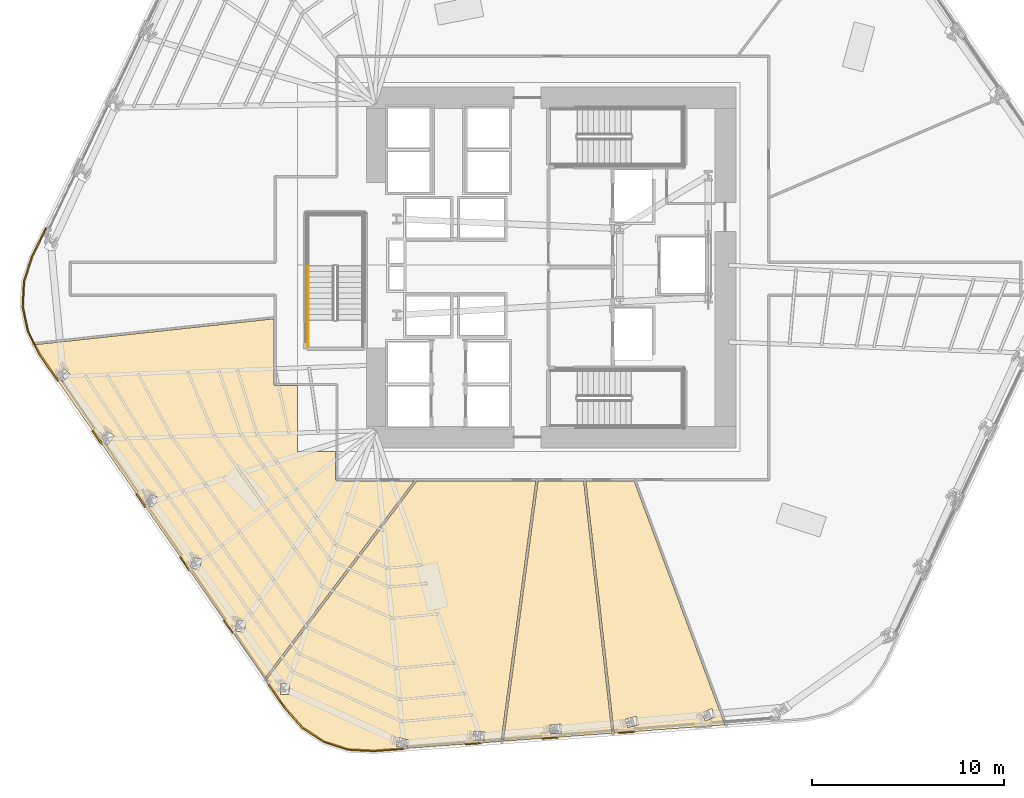
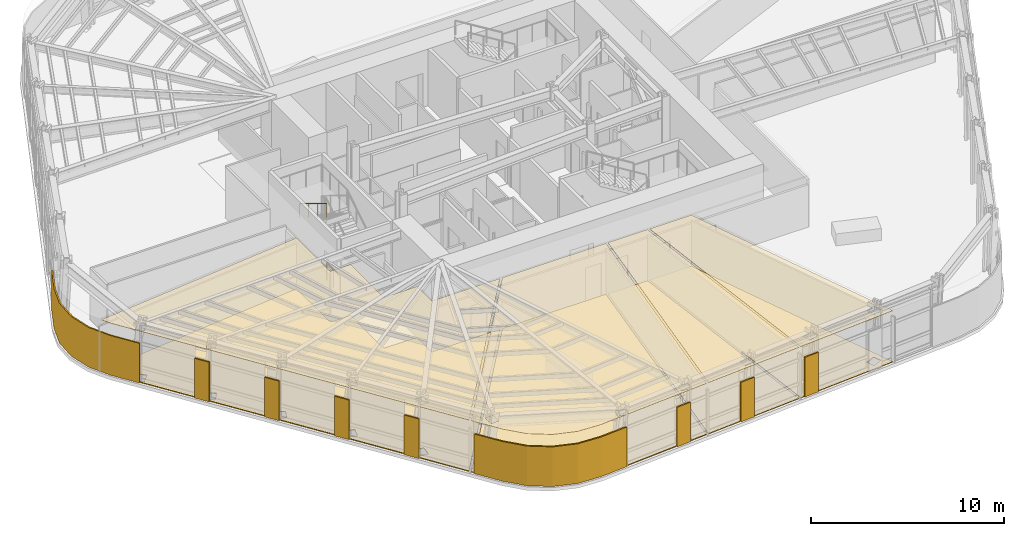
# One storey, part 10 of 15: 17 coverings, 2 railings.
"""IFC4 building model written with IfcOpenShell, lengths in metres."""

import ifcopenshell
import ifcopenshell.guid

model = None  # the IFC model being written
_history = None  # IfcOwnerHistory: only IFC2X3 demands one
_inside = {}  # id of a spatial element -> (the spatial element, [elements in it])
_under = {}  # id of a project, library or spatial element -> (it, [spatial elements below it])
_declared = {}  # id of a project -> (the project, [libraries it declares])
_typed = {}  # id of a type object -> (the type object, [elements of that type])
_made_of = {}  # id of a material, layer set ... -> (it, [elements and type objects made of it])


def new_model(schema):
    """Start an empty IFC model of exactly this schema.

    Asked for "IFC4X3", IfcOpenShell would pick the latest addendum, in which some entities
    have other attributes; the version numbers below select the first issue.
    IFC2X3 requires an IfcOwnerHistory on every rooted entity: one is made here for all.
    """
    global model, _history
    if schema == "IFC4X3":
        model = ifcopenshell.file(schema_version=(4, 3, 0, 0))
    else:
        model = ifcopenshell.file(schema=schema)
    _inside.clear()
    _under.clear()
    _declared.clear()
    _typed.clear()
    _made_of.clear()
    _history = None
    if model.schema == "IFC2X3":
        org = make("IfcOrganization", Name="unknown")
        user = make(
            "IfcPersonAndOrganization",
            ThePerson=make("IfcPerson", FamilyName="unknown"),
            TheOrganization=org,
        )
        app = make(
            "IfcApplication",
            ApplicationDeveloper=org,
            Version="unknown",
            ApplicationFullName="unknown",
            ApplicationIdentifier="unknown",
        )
        _history = make(
            "IfcOwnerHistory",
            OwningUser=user,
            OwningApplication=app,
            ChangeAction="ADDED",
            CreationDate=0,
        )
    return model


def make(cls, **values):
    """One entity of the class cls with the attributes given. An attribute that is None is left unset."""
    return model.create_entity(
        cls, **{name: value for name, value in values.items() if value is not None}
    )


def rooted(cls, **values):
    """An entity with a GlobalId (a new one), such as an element, a storey or a relation."""
    return make(cls, GlobalId=ifcopenshell.guid.new(), OwnerHistory=_history, **values)


def si_unit(unit_type, name, prefix=None):
    """IfcSIUnit, for example si_unit("LENGTHUNIT", "METRE", prefix="MILLI")."""
    return make("IfcSIUnit", UnitType=unit_type, Prefix=prefix, Name=name)


def assignment(units):
    """IfcUnitAssignment: the units of a project."""
    return None if units is None else make("IfcUnitAssignment", Units=units)


def point(xyz):
    """IfcCartesianPoint."""
    return None if xyz is None else make("IfcCartesianPoint", Coordinates=xyz)


def direction(xyz):
    """IfcDirection."""
    return None if xyz is None else make("IfcDirection", DirectionRatios=xyz)


def frame(location, z_axis=None, x_axis=None):
    """IfcAxis2Placement3D, a coordinate frame: its origin and axes. An axis left out is left unset."""
    return make(
        "IfcAxis2Placement3D",
        Location=point(location),
        Axis=direction(z_axis),
        RefDirection=direction(x_axis),
    )


def frame_2d(location, x_axis=None):
    """IfcAxis2Placement2D, a coordinate frame in the plane: its origin and x axis."""
    return make(
        "IfcAxis2Placement2D", Location=point(location), RefDirection=direction(x_axis)
    )


def origin():
    """The frame at (0, 0, 0) with its axes left unset."""
    return frame((0.0, 0.0, 0.0))


def origin_2d():
    """The frame at (0, 0) in the plane with its x axis left unset."""
    return frame_2d((0.0, 0.0))


def place(relative_to, where):
    """IfcLocalPlacement: puts the frame where relative to a parent placement (None: the world)."""
    return make(
        "IfcLocalPlacement", PlacementRelTo=relative_to, RelativePlacement=where
    )


def context(
    kind, dimensions, precision=None, world=None, true_north=None, identifier=None
):
    """IfcGeometricRepresentationContext, for example the 3D "Model" context."""
    return make(
        "IfcGeometricRepresentationContext",
        ContextIdentifier=identifier,
        ContextType=kind,
        CoordinateSpaceDimension=dimensions,
        Precision=precision,
        WorldCoordinateSystem=world,
        TrueNorth=true_north,
    )


def subcontext(parent, identifier, kind, view, scale=None):
    """IfcGeometricRepresentationSubContext, for example "Body" below "Model"."""
    return make(
        "IfcGeometricRepresentationSubContext",
        ContextIdentifier=identifier,
        ContextType=kind,
        ParentContext=parent,
        TargetScale=scale,
        TargetView=view,
    )


def project(units=None, contexts=None):
    """IfcProject with its units and contexts."""
    return rooted(
        "IfcProject",
        Name="project",
        RepresentationContexts=contexts,
        UnitsInContext=assignment(units),
    )


def spatial(cls, under=None, at=None, **own):
    """A site, building, storey or space (cls), placed at a placement, below another one or the project."""
    s = rooted(cls, ObjectPlacement=at, **own)
    if under is not None:
        _under.setdefault(under.id(), (under, []))[1].append(s)
    return s


def polyline(points):
    """IfcPolyline through the points."""
    return make("IfcPolyline", Points=[point(p) for p in points])


def profile(cls, at=None, kind="AREA", **sizes):
    """A parametric profile (cls). Its sizes go by their IFC names, for example OverallWidth=200.0."""
    return make(cls, ProfileType=kind, Position=at, **sizes)


def circle(**sizes):
    """IfcCircleProfileDef."""
    return profile("IfcCircleProfileDef", **sizes)


def outline(outer, holes=None, kind="AREA"):
    """IfcArbitraryClosedProfileDef: a profile drawn as a closed curve; with holes, ...WithVoids."""
    if holes is None:
        return make("IfcArbitraryClosedProfileDef", ProfileType=kind, OuterCurve=outer)
    return make(
        "IfcArbitraryProfileDefWithVoids",
        ProfileType=kind,
        OuterCurve=outer,
        InnerCurves=holes,
    )


def extrude(swept, where, along, depth):
    """IfcExtrudedAreaSolid: the profile swept, set in the frame where, extruded along a direction by depth."""
    return make(
        "IfcExtrudedAreaSolid",
        SweptArea=swept,
        Position=where,
        ExtrudedDirection=direction(along),
        Depth=depth,
    )


def shape(context_of_items, identifier, shape_type, items):
    """IfcShapeRepresentation: the items that make up one representation, for example the "Body"."""
    return make(
        "IfcShapeRepresentation",
        ContextOfItems=context_of_items,
        RepresentationIdentifier=identifier,
        RepresentationType=shape_type,
        Items=items,
    )


def material(Name=None, Category=None):
    """IfcMaterial."""
    return make("IfcMaterial", Name=Name, Category=Category)


def layer(
    of_material, thickness, ventilated=None, Name=None, Category=None, Priority=None
):
    """IfcMaterialLayer: one layer of a wall or slab, of a material (None: an air gap)."""
    return make(
        "IfcMaterialLayer",
        Material=of_material,
        LayerThickness=thickness,
        IsVentilated=ventilated,
        Name=Name,
        Category=Category,
        Priority=Priority,
    )


def layer_set(layers, Name=None):
    """IfcMaterialLayerSet."""
    return make("IfcMaterialLayerSet", MaterialLayers=layers, LayerSetName=Name)


def made_of(thing, what):
    """Note that an element or type object is made of a material, layer set ...; save() writes the relation."""
    if what is not None:
        _made_of.setdefault(what.id(), (what, []))[1].append(thing)
    return thing


def type_object(cls, material=None, **own):
    """A type object (cls), such as IfcWallType, which elements share."""
    return made_of(rooted(cls, **own), material)


def element(
    cls,
    number,
    at=None,
    inside=None,
    cuts=None,
    type_object=None,
    material=None,
    context=None,
    identifier="Body",
    shape_type=None,
    held_by="IfcProductDefinitionShape",
    body=None,
    shapes=None,
    **own,
):
    """One element of the class cls, such as IfcWall. Its Tag is "e" and its number.

    at: its placement. inside: the storey or other place that contains it. cuts: it is an
    opening in that element (IfcRelVoidsElement). A single representation is given by context,
    identifier, shape_type and body (its items); several are given by shapes. held_by: the class
    of the entity that holds the representations. save() writes the other relations.
    """
    e = rooted(cls, Tag="e%d" % number, ObjectPlacement=at, **own)
    if body is not None:
        shapes = [shape(context, identifier, shape_type, body)]
    if shapes is not None:
        e.Representation = make(held_by, Representations=shapes)
    if inside is not None:
        _inside.setdefault(inside.id(), (inside, []))[1].append(e)
    if cuts is not None:
        rooted(
            "IfcRelVoidsElement", RelatingBuildingElement=cuts, RelatedOpeningElement=e
        )
    if type_object is not None:
        _typed.setdefault(type_object.id(), (type_object, []))[1].append(e)
    return made_of(e, material)


def aggregate(whole, parts):
    """IfcRelAggregates: a whole, such as a stair, and the parts it consists of."""
    return rooted("IfcRelAggregates", RelatingObject=whole, RelatedObjects=parts)


def save(model, path):
    """Write the relations noted so far, then the file.

    IfcRelAggregates (storeys below a building ...), IfcRelContainedInSpatialStructure (elements
    in a storey), IfcRelDefinesByType, IfcRelAssociatesMaterial and IfcRelDeclares: one each for
    every whole, place, type object, material and project.
    """
    for whole, parts in _under.values():
        aggregate(whole, parts)
    for where, things in _inside.values():
        rooted(
            "IfcRelContainedInSpatialStructure",
            RelatedElements=things,
            RelatingStructure=where,
        )
    for kind, things in _typed.values():
        rooted("IfcRelDefinesByType", RelatedObjects=things, RelatingType=kind)
    for what, things in _made_of.values():
        rooted("IfcRelAssociatesMaterial", RelatedObjects=things, RelatingMaterial=what)
    for by, libraries in _declared.values():
        rooted("IfcRelDeclares", RelatingContext=by, RelatedDefinitions=libraries)
    model.write(path)


model = new_model("IFC4")

# Units and contexts
model_context = context("Model", 3, precision=1e-05, world=origin(), true_north=direction((0.0, 1.0)))
body_context = subcontext(model_context, "Body", "Model", "MODEL_VIEW")
ifc_project = project(units=[si_unit("LENGTHUNIT", "METRE"), si_unit("AREAUNIT", "SQUARE_METRE"), si_unit("VOLUMEUNIT", "CUBIC_METRE"), si_unit("PLANEANGLEUNIT", "RADIAN"), si_unit("MASSUNIT", "GRAM", prefix="KILO")], contexts=[model_context])

# Site, building, storey
site_placement = place(None, origin())
site = spatial("IfcSite", under=ifc_project, at=site_placement, CompositionType="ELEMENT")
building_placement = place(site_placement, origin())
building = spatial("IfcBuilding", under=site, at=building_placement, Name="Valkerne Bourse Tower", CompositionType="ELEMENT")
storey_placement = place(building_placement, frame((0.0, 0.0, 43.0)))
storey = spatial("IfcBuildingStorey", under=building, at=storey_placement, Name="L10", CompositionType="ELEMENT", Elevation=43.0)

# Coverings
ifc_material_1 = material(Name="Mineral Fiber Acoustic Ceiling Tile", Category="acoustic")
ifc_layer_1 = layer(ifc_material_1, 0.02490234375)
ifc_layer_set_1 = layer_set([ifc_layer_1], Name="Mineral Fiber Acoustic Ceiling Tile")
covering_type_1 = type_object("IfcCoveringType", Name="COV-CEIL-ACT", PredefinedType="CEILING", material=ifc_layer_set_1)
covering_1_placement = place(storey_placement, frame((0.0, 0.0, 3.22998046875)))
element("IfcCovering", 1, at=covering_1_placement, inside=storey, type_object=covering_type_1, Name="L10 Suspended Ceiling 03", PredefinedType="CEILING", context=body_context, shape_type="SweptSolid", body=[
    extrude(outline(polyline([(48.4755859375, 15.781005859375), (49.947021484375, 2.664794921875), (44.303466796875, 2.24609375), (46.109375, 15.781005859375), (48.4755859375, 15.781005859375)]), holes=[polyline([(46.752197265625, 2.632080078125), (47.32421875, 2.67919921875), (47.28662109375, 3.140380859375), (47.282958984375, 3.140380859375), (46.710693359375, 3.09326171875), (46.74853515625, 2.632080078125), (46.752197265625, 2.632080078125)])]), origin(), (0.0, 0.0, 1.0), 0.02490234375),
])
covering_2_placement = place(storey_placement, frame((0.0, 0.0, 3.22998046875)))
element("IfcCovering", 2, at=covering_2_placement, inside=storey, type_object=covering_type_1, Name="L10 Suspended Ceiling 04", PredefinedType="CEILING", context=body_context, shape_type="SweptSolid", body=[
    extrude(outline(polyline([(51.100341796875, 15.781005859375), (55.816162109375, 3.10009765625), (50.064697265625, 2.673583984375), (48.594482421875, 15.781005859375), (51.100341796875, 15.781005859375)]), holes=[polyline([(50.77685546875, 2.958740234375), (51.333251953125, 3.099853515625), (51.219970703125, 3.54833984375), (51.216552734375, 3.5478515625), (50.659912109375, 3.406494140625), (50.7734375, 2.9580078125), (50.77685546875, 2.958740234375)]), polyline([(55.33251953125, 3.522705078125), (55.148681640625, 3.947265625), (55.145263671875, 3.9462890625), (54.61865234375, 3.717529296875), (54.802490234375, 3.29296875), (54.805908203125, 3.294189453125), (55.33251953125, 3.522705078125)])]), origin(), (0.0, 0.0, 1.0), 0.02490234375),
])
covering_3_placement = place(storey_placement, frame((0.0, 0.0, 3.22998046875)))
element("IfcCovering", 3, at=covering_3_placement, inside=storey, type_object=covering_type_1, Name="L10 Suspended Ceiling 06", PredefinedType="CEILING", context=body_context, shape_type="SweptSolid", body=[
    extrude(outline(polyline([(34.982421875, 2.223876953125), (33.87548828125, 2.9423828125), (32.986083984375, 3.930419921875), (31.95947265625, 5.409912109375), (39.81201171875, 15.781005859375), (45.990234375, 15.781005859375), (44.18310546875, 2.2373046875), (39.291015625, 1.87451171875), (39.393310546875, 2.31201171875), (39.3896484375, 2.31298828125), (38.830810546875, 2.443115234375), (38.7255859375, 1.99267578125), (38.729248046875, 1.991455078125), (39.246337890625, 1.87109375), (37.56494140625, 1.746337890625), (36.2373046875, 1.81591796875), (34.982421875, 2.223876953125)]), holes=[polyline([(33.170166015625, 5.262939453125), (33.1669921875, 5.264892578125), (32.706298828125, 5.247314453125), (32.72509765625, 4.671875), (32.728515625, 4.669677734375), (33.18896484375, 4.687255859375), (33.170166015625, 5.262939453125)]), polyline([(43.34130859375, 2.7275390625), (42.76904296875, 2.772705078125), (42.732177734375, 2.3115234375), (42.735595703125, 2.31103515625), (43.307861328125, 2.265625), (43.3447265625, 2.726806640625), (43.34130859375, 2.7275390625)])]), origin(), (0.0, 0.0, 1.0), 0.02490234375),
])
covering_4_placement = place(storey_placement, frame((0.0, 0.0, 3.22998046875)))
element("IfcCovering", 4, at=covering_4_placement, inside=storey, type_object=covering_type_1, Name="L10 Suspended Ceiling 07", PredefinedType="CEILING", context=body_context, shape_type="SweptSolid", body=[
    extrude(outline(polyline([(32.381103515625, 24.21240234375), (32.381103515625, 20.79931640625), (32.39892578125, 20.75341796875), (32.4208984375, 20.7373046875), (32.44970703125, 20.73095703125), (33.60009765625, 20.73095703125), (33.60009765625, 17.300048828125), (35.5810546875, 17.300048828125), (35.5810546875, 15.849365234375), (35.59814453125, 15.80419921875), (35.62109375, 15.787353515625), (35.649658203125, 15.781005859375), (39.6640625, 15.781005859375), (31.888671875, 5.511962890625), (20.195556640625, 22.362548828125), (19.940185546875, 22.863525390625), (32.381103515625, 24.21240234375)]), holes=[polyline([(30.901611328125, 8.4912109375), (30.443603515625, 8.542724609375), (30.376220703125, 7.970703125), (30.379150390625, 7.96826171875), (30.837158203125, 7.916748046875), (30.904296875, 8.489013671875), (30.901611328125, 8.4912109375)]), polyline([(28.63525390625, 11.705810546875), (28.6328125, 11.70849609375), (28.18896484375, 11.832763671875), (28.03076171875, 11.27880859375), (28.033203125, 11.276123046875), (28.47705078125, 11.151611328125), (28.63525390625, 11.705810546875)]), polyline([(26.35888671875, 14.915283203125), (26.357177734375, 14.918212890625), (25.939697265625, 15.114501953125), (25.6923828125, 14.59423828125), (25.694091796875, 14.591064453125), (26.111572265625, 14.39501953125), (26.35888671875, 14.915283203125)]), polyline([(24.07177734375, 18.12548828125), (23.69140625, 18.385986328125), (23.363525390625, 17.912353515625), (23.364990234375, 17.908935546875), (23.7451171875, 17.6484375), (24.072998046875, 18.1220703125), (24.07177734375, 18.12548828125)]), polyline([(21.77734375, 21.330322265625), (21.776611328125, 21.333984375), (21.439208984375, 21.648193359375), (21.04443359375, 21.228759765625), (21.04541015625, 21.22509765625), (21.3828125, 20.9111328125), (21.77734375, 21.330322265625)])]), origin(), (0.0, 0.0, 1.0), 0.02490234375),
])
ifc_material_2 = material(Name="Bronze Anodised Aluminium AA 6063-T6", Category="aluminium")
ifc_layer_2 = layer(ifc_material_2, 0.06005859375)
ifc_layer_set_2 = layer_set([ifc_layer_2], Name="Bronze Anodised Aluminium AA 6063-T6")
covering_type_2 = type_object("IfcCoveringType", Name="COV-CRN-ALUM", PredefinedType="CLADDING", material=ifc_layer_set_2)
covering_5_placement = place(storey_placement, origin())
element("IfcCovering", 5, at=covering_5_placement, inside=storey, type_object=covering_type_2, Name="L10 Wind-Shaped Corner Aluminium Cladding 03", PredefinedType="CLADDING", context=body_context, shape_type="SweptSolid", body=[
    extrude(outline(polyline([(50.299560546875, 2.64697265625), (50.293212890625, 2.7265625), (51.131103515625, 2.788818359375), (51.13720703125, 2.708984375), (50.299560546875, 2.64697265625)])), origin(), (0.0, 0.0, 1.0), 2.5),
])
covering_6_placement = place(storey_placement, origin())
element("IfcCovering", 6, at=covering_6_placement, inside=storey, type_object=covering_type_2, Name="L10 Wind-Shaped Corner Aluminium Cladding 04", PredefinedType="CLADDING", context=body_context, shape_type="SweptSolid", body=[
    extrude(outline(polyline([(46.314453125, 2.351318359375), (46.30810546875, 2.430908203125), (47.14599609375, 2.4931640625), (47.152099609375, 2.413330078125), (46.314453125, 2.351318359375)])), origin(), (0.0, 0.0, 1.0), 2.5),
])
covering_7_placement = place(storey_placement, origin())
element("IfcCovering", 7, at=covering_7_placement, inside=storey, type_object=covering_type_2, Name="L10 Wind-Shaped Corner Aluminium Cladding 05", PredefinedType="CLADDING", context=body_context, shape_type="SweptSolid", body=[
    extrude(outline(polyline([(42.329345703125, 2.0556640625), (42.322998046875, 2.135498046875), (43.160888671875, 2.197509765625), (43.1669921875, 2.117919921875), (42.329345703125, 2.0556640625)])), origin(), (0.0, 0.0, 1.0), 2.5),
])
covering_8_placement = place(storey_placement, origin())
element("IfcCovering", 8, at=covering_8_placement, inside=storey, type_object=covering_type_2, Name="L10 Wind-Shaped Corner Aluminium Cladding 06", PredefinedType="CLADDING", context=body_context, shape_type="SweptSolid", body=[
    extrude(outline(polyline([(37.5654296875, 1.702392578125), (36.229248046875, 1.7724609375), (34.963134765625, 2.18359375), (33.8466796875, 2.90869140625), (32.951416015625, 3.903076171875), (32.02734375, 5.23486328125), (32.09326171875, 5.280029296875), (33.014404296875, 3.952880859375), (33.899169921875, 2.97021484375), (34.998046875, 2.256591796875), (36.243896484375, 1.851806640625), (37.564453125, 1.782470703125), (39.175537109375, 1.902099609375), (39.181884765625, 1.822265625), (37.5654296875, 1.702392578125)])), origin(), (0.0, 0.0, 1.0), 2.5),
])
covering_9_placement = place(storey_placement, origin())
element("IfcCovering", 9, at=covering_9_placement, inside=storey, type_object=covering_type_2, Name="L10 Wind-Shaped Corner Aluminium Cladding 07", PredefinedType="CLADDING", context=body_context, shape_type="SweptSolid", body=[
    extrude(outline(polyline([(29.749267578125, 8.517822265625), (29.815185546875, 8.56298828125), (30.294189453125, 7.873046875), (30.22802734375, 7.82763671875), (29.749267578125, 8.517822265625)])), origin(), (0.0, 0.0, 1.0), 2.5),
])
covering_10_placement = place(storey_placement, origin())
element("IfcCovering", 10, at=covering_10_placement, inside=storey, type_object=covering_type_2, Name="L10 Wind-Shaped Corner Aluminium Cladding 08", PredefinedType="CLADDING", context=body_context, shape_type="SweptSolid", body=[
    extrude(outline(polyline([(27.470947265625, 11.80078125), (27.536865234375, 11.84619140625), (28.015869140625, 11.156005859375), (27.949951171875, 11.110595703125), (27.470947265625, 11.80078125)])), origin(), (0.0, 0.0, 1.0), 2.5),
])
covering_11_placement = place(storey_placement, origin())
element("IfcCovering", 11, at=covering_11_placement, inside=storey, type_object=covering_type_2, Name="L10 Wind-Shaped Corner Aluminium Cladding 09", PredefinedType="CLADDING", context=body_context, shape_type="SweptSolid", body=[
    extrude(outline(polyline([(25.19287109375, 15.083740234375), (25.2587890625, 15.129150390625), (25.73779296875, 14.43896484375), (25.671875, 14.393798828125), (25.19287109375, 15.083740234375)])), origin(), (0.0, 0.0, 1.0), 2.5),
])
covering_12_placement = place(storey_placement, origin())
element("IfcCovering", 12, at=covering_12_placement, inside=storey, type_object=covering_type_2, Name="L10 Wind-Shaped Corner Aluminium Cladding 10", PredefinedType="CLADDING", context=body_context, shape_type="SweptSolid", body=[
    extrude(outline(polyline([(22.914794921875, 18.36669921875), (22.980712890625, 18.412109375), (23.45947265625, 17.721923828125), (23.3935546875, 17.6767578125), (22.914794921875, 18.36669921875)])), origin(), (0.0, 0.0, 1.0), 2.5),
])
covering_13_placement = place(storey_placement, origin())
element("IfcCovering", 13, at=covering_13_placement, inside=storey, type_object=covering_type_2, Name="L10 Wind-Shaped Corner Aluminium Cladding 11", PredefinedType="CLADDING", context=body_context, shape_type="SweptSolid", body=[
    extrude(outline(polyline([(20.15771484375, 22.33984375), (19.550537109375, 23.531494140625), (19.273681640625, 24.83349609375), (19.343505859375, 26.162841796875), (19.756591796875, 27.43505859375), (20.48681640625, 28.947998046875), (20.558837890625, 28.91357421875), (19.8310546875, 27.4052734375), (19.422607421875, 26.148193359375), (19.354248046875, 24.83984375), (19.62646484375, 23.55859375), (20.2265625, 22.381103515625), (21.181396484375, 21.005126953125), (21.115478515625, 20.959716796875), (20.15771484375, 22.33984375)])), origin(), (0.0, 0.0, 1.0), 2.5),
])
ifc_material_3 = material(Name="Galvanised Painted Steel", Category="steel")
ifc_layer_3 = layer(ifc_material_3, 0.044921875)
ifc_layer_set_3 = layer_set([ifc_layer_3], Name="Galvanised Painted Steel")
covering_type_3 = type_object("IfcCoveringType", Name="COV-FLR-RAF", PredefinedType="FLOORING", material=ifc_layer_set_3)
covering_14_placement = place(storey_placement, origin())
element("IfcCovering", 14, at=covering_14_placement, inside=storey, type_object=covering_type_3, Name="L10 Floor Finish 06", PredefinedType="FLOORING", context=body_context, shape_type="SweptSolid", body=[
    extrude(outline(polyline([(34.982421875, 2.223876953125), (33.87548828125, 2.9423828125), (32.986083984375, 3.930419921875), (31.95947265625, 5.409912109375), (39.81201171875, 15.781005859375), (45.990234375, 15.781005859375), (44.18310546875, 2.2373046875), (39.291015625, 1.87451171875), (39.393310546875, 2.31201171875), (39.3896484375, 2.31298828125), (38.830810546875, 2.443115234375), (38.7255859375, 1.99267578125), (38.729248046875, 1.991455078125), (39.246337890625, 1.87109375), (37.56494140625, 1.746337890625), (36.2373046875, 1.81591796875), (34.982421875, 2.223876953125)]), holes=[polyline([(33.170166015625, 5.262939453125), (33.1669921875, 5.264892578125), (32.706298828125, 5.247314453125), (32.72509765625, 4.671875), (32.728515625, 4.669677734375), (33.18896484375, 4.687255859375), (33.170166015625, 5.262939453125)]), polyline([(43.34130859375, 2.7275390625), (42.76904296875, 2.772705078125), (42.732177734375, 2.3115234375), (42.735595703125, 2.31103515625), (43.307861328125, 2.265625), (43.3447265625, 2.726806640625), (43.34130859375, 2.7275390625)])]), origin(), (0.0, 0.0, 1.0), 0.044921875),
])
covering_15_placement = place(storey_placement, origin())
element("IfcCovering", 15, at=covering_15_placement, inside=storey, type_object=covering_type_3, Name="L10 Floor Finish 07", PredefinedType="FLOORING", context=body_context, shape_type="SweptSolid", body=[
    extrude(outline(polyline([(32.381103515625, 24.21240234375), (32.381103515625, 20.79931640625), (32.39892578125, 20.75341796875), (32.4208984375, 20.7373046875), (32.44970703125, 20.73095703125), (33.60009765625, 20.73095703125), (33.60009765625, 17.300048828125), (35.5810546875, 17.300048828125), (35.5810546875, 15.849365234375), (35.59814453125, 15.80419921875), (35.62109375, 15.787353515625), (35.649658203125, 15.781005859375), (39.6640625, 15.781005859375), (31.888671875, 5.511962890625), (20.195556640625, 22.362548828125), (19.940185546875, 22.863525390625), (32.381103515625, 24.21240234375)]), holes=[polyline([(30.901611328125, 8.4912109375), (30.443603515625, 8.542724609375), (30.376220703125, 7.970703125), (30.379150390625, 7.96826171875), (30.837158203125, 7.916748046875), (30.904296875, 8.489013671875), (30.901611328125, 8.4912109375)]), polyline([(28.63525390625, 11.705810546875), (28.6328125, 11.70849609375), (28.18896484375, 11.832763671875), (28.03076171875, 11.27880859375), (28.033203125, 11.276123046875), (28.47705078125, 11.151611328125), (28.63525390625, 11.705810546875)]), polyline([(26.35888671875, 14.915283203125), (26.357177734375, 14.918212890625), (25.939697265625, 15.114501953125), (25.6923828125, 14.59423828125), (25.694091796875, 14.591064453125), (26.111572265625, 14.39501953125), (26.35888671875, 14.915283203125)]), polyline([(24.07177734375, 18.12548828125), (23.69140625, 18.385986328125), (23.363525390625, 17.912353515625), (23.364990234375, 17.908935546875), (23.7451171875, 17.6484375), (24.072998046875, 18.1220703125), (24.07177734375, 18.12548828125)]), polyline([(21.77734375, 21.330322265625), (21.776611328125, 21.333984375), (21.439208984375, 21.648193359375), (21.04443359375, 21.228759765625), (21.04541015625, 21.22509765625), (21.3828125, 20.9111328125), (21.77734375, 21.330322265625)])]), origin(), (0.0, 0.0, 1.0), 0.044921875),
])
ifc_material_4 = material(Name="Polished Granite Stone", Category="masonry")
ifc_layer_4 = layer(ifc_material_4, 0.030029296875)
ifc_layer_set_4 = layer_set([ifc_layer_4], Name="Polished Granite Stone")
covering_type_4 = type_object("IfcCoveringType", Name="COV-FLR-TERRAZZO", PredefinedType="FLOORING", material=ifc_layer_set_4)
covering_16_placement = place(storey_placement, origin())
element("IfcCovering", 16, at=covering_16_placement, inside=storey, type_object=covering_type_4, Name="L10 Floor Finish 03", PredefinedType="FLOORING", context=body_context, shape_type="SweptSolid", body=[
    extrude(outline(polyline([(48.4755859375, 15.781005859375), (49.947021484375, 2.664794921875), (44.303466796875, 2.24609375), (46.109375, 15.781005859375), (48.4755859375, 15.781005859375)]), holes=[polyline([(46.752197265625, 2.632080078125), (47.32421875, 2.67919921875), (47.28662109375, 3.140380859375), (47.282958984375, 3.140380859375), (46.710693359375, 3.09326171875), (46.74853515625, 2.632080078125), (46.752197265625, 2.632080078125)])]), origin(), (0.0, 0.0, 1.0), 0.030029296875),
])
covering_17_placement = place(storey_placement, origin())
element("IfcCovering", 17, at=covering_17_placement, inside=storey, type_object=covering_type_4, Name="L10 Floor Finish 04", PredefinedType="FLOORING", context=body_context, shape_type="SweptSolid", body=[
    extrude(outline(polyline([(51.100341796875, 15.781005859375), (55.816162109375, 3.10009765625), (50.064697265625, 2.673583984375), (48.594482421875, 15.781005859375), (51.100341796875, 15.781005859375)]), holes=[polyline([(50.77685546875, 2.958740234375), (51.333251953125, 3.099853515625), (51.219970703125, 3.54833984375), (51.216552734375, 3.5478515625), (50.659912109375, 3.406494140625), (50.7734375, 2.9580078125), (50.77685546875, 2.958740234375)]), polyline([(55.33251953125, 3.522705078125), (55.148681640625, 3.947265625), (55.145263671875, 3.9462890625), (54.61865234375, 3.717529296875), (54.802490234375, 3.29296875), (54.805908203125, 3.294189453125), (55.33251953125, 3.522705078125)])]), origin(), (0.0, 0.0, 1.0), 0.030029296875),
])

# Railings
railing_type_1 = type_object("IfcRailingType", Name="RLG-ST-GUARD-1120", PredefinedType="GUARDRAIL", material=ifc_material_3)
railing_1_placement = place(storey_placement, frame((34.14990234375, 22.75, 0.0)))
element("IfcRailing", 18, at=railing_1_placement, inside=storey, type_object=railing_type_1, Name="L10 ST-3 stair guard 9", PredefinedType="GUARDRAIL", context=body_context, shape_type="SweptSolid", body=[
    extrude(circle(Radius=0.02392578125, at=origin_2d()), frame((0.0, 0.0, 1.09619140625), z_axis=(0.0, 1.0, 0.0), x_axis=(-1.0, 0.0, 0.0)), (0.0, 0.0, 1.0), 1.39990234375),
    extrude(circle(Radius=0.02099609375, at=origin_2d()), origin(), (0.0, 0.0, 1.0), 1.072021484375),
    extrude(circle(Radius=0.02099609375, at=origin_2d()), frame((0.0, 0.699951171875, 0.0)), (0.0, 0.0, 1.0), 1.072021484375),
    extrude(circle(Radius=0.02099609375, at=origin_2d()), frame((0.0, 1.39990234375, 0.0)), (0.0, 0.0, 1.0), 1.072021484375),
])
ifc_material_5 = material(Name="Stainless Steel AISI 316", Category="steel")
railing_type_2 = type_object("IfcRailingType", Name="RLG-ST-HANDRAIL-900", PredefinedType="HANDRAIL", material=ifc_material_5)
railing_2_placement = place(storey_placement, frame((34.14990234375, 26.949951171875, 2.245361328125)))
element("IfcRailing", 19, at=railing_2_placement, inside=storey, type_object=railing_type_2, Name="L10 ST-3 stair handrail 2", PredefinedType="HANDRAIL", context=body_context, shape_type="SweptSolid", body=[
    extrude(circle(Radius=0.02392578125, at=origin_2d()), frame((0.0, 0.0, 0.8759765625), z_axis=(0.0, -0.851089632645, 0.525020415988), x_axis=(1.0, 0.0, 0.0)), (0.0, 0.0, 1.0), 3.2900390625),
    extrude(circle(Radius=0.02099609375, at=origin_2d()), origin(), (0.0, 0.0, 1.0), 0.851806640625),
    extrude(circle(Radius=0.02099609375, at=origin_2d()), frame((0.0, -0.933349609375, 0.57568359375)), (0.0, 0.0, 1.0), 0.851806640625),
    extrude(circle(Radius=0.02099609375, at=origin_2d()), frame((0.0, -1.86669921875, 1.151611328125)), (0.0, 0.0, 1.0), 0.851806640625),
    extrude(circle(Radius=0.02099609375, at=origin_2d()), frame((0.0, -2.800048828125, 1.727294921875)), (0.0, 0.0, 1.0), 0.851806640625),
])

save(model, "model.ifc")
